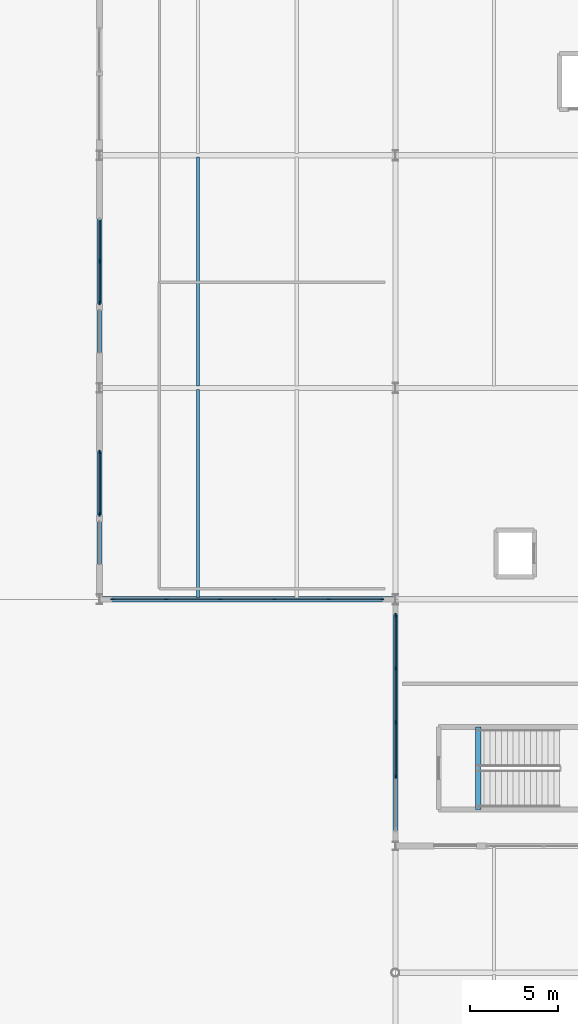
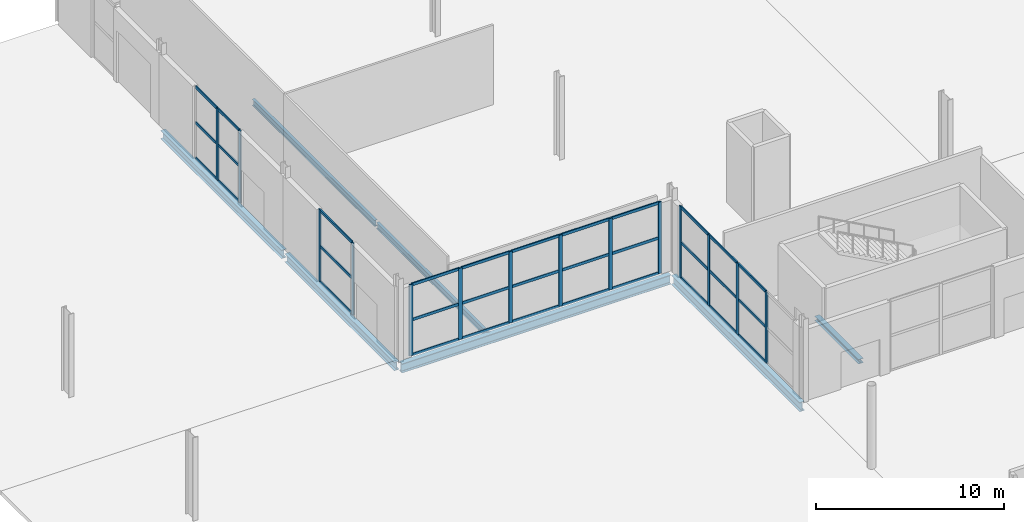
# One storey, part 22 of 87: 47 members, 7 beams, 4 elements without a shape of their own.
"""IFC4 building model written with IfcOpenShell, lengths in metres."""

from ifc_helpers import new_model, si_unit, direction, frame, origin, origin_2d, place, context, subcontext, project, spatial, rectangle, i_section, extrude, material, material_profile, profile_set, type_object, element, aggregate, save


model = new_model("IFC4")

# Units and contexts
model_context = context("Model", 3, precision=1e-05, world=origin(), true_north=direction((0.0, 1.0)))
body_context = subcontext(model_context, "Body", "Model", "MODEL_VIEW")
ifc_project = project(units=[si_unit("LENGTHUNIT", "METRE"), si_unit("AREAUNIT", "SQUARE_METRE"), si_unit("VOLUMEUNIT", "CUBIC_METRE"), si_unit("PLANEANGLEUNIT", "RADIAN"), si_unit("MASSUNIT", "GRAM", prefix="KILO")], contexts=[model_context])

# Site, building, storey
site_placement = place(None, origin())
site = spatial("IfcSite", under=ifc_project, at=site_placement, CompositionType="ELEMENT")
building_placement = place(site_placement, origin())
building = spatial("IfcBuilding", under=site, at=building_placement, Name="Kimbaza Rail Terminus", CompositionType="ELEMENT")
storey_placement = place(building_placement, origin())
storey = spatial("IfcBuildingStorey", under=building, at=storey_placement, Name="L00", CompositionType="ELEMENT", Elevation=0.0)

# Curtain wall, members
ifc_material_1 = material(Name="Anodised aluminium framing and solar low-E glazing", Category="aluminium")
curtain_wall_type = type_object("IfcCurtainWallType", Name="ARC-CW-TH1", PredefinedType="USERDEFINED", material=ifc_material_1)
curtain_wall_1_placement = place(storey_placement, origin())
curtain_wall_1 = element("IfcCurtainWall", 1, at=curtain_wall_1_placement, inside=storey, type_object=curtain_wall_type, Name="Concourse W Return Curtain Wall L00", ObjectType="UNITISED CURTAIN WALL", PredefinedType="USERDEFINED")
ifc_material_2 = material(Name="Anodised architectural aluminium", Category="aluminium")
ifc_material_profile_1 = material_profile(ifc_material_2, rectangle(XDim=0.074951171875, YDim=0.219970703125, at=origin_2d()), Name="MULLION 75x220")
ifc_profile_set_1 = profile_set([ifc_material_profile_1], Name="Anodised architectural aluminium")
member_type_1 = type_object("IfcMemberType", Name="ARC-CWM-01", PredefinedType="MULLION", material=ifc_profile_set_1)
member_1_placement = place(storey_placement, frame((55.199951171875, 44.945068359375, 0.0), z_axis=(0.0, 0.0, 1.0), x_axis=(-1.0, 0.0, 0.0)))
member_1 = element("IfcMember", 2, at=member_1_placement, type_object=member_type_1, Name="CW-01 mullion 2", PredefinedType="MULLION", context=body_context, shape_type="SweptSolid", body=[
    extrude(rectangle(XDim=0.074951171875, YDim=0.219970703125, at=origin_2d()), origin(), (0.0, 0.0, 1.0), 4.625),
])
member_2_placement = place(storey_placement, frame((55.199951171875, 48.010009765625, 0.0), z_axis=(0.0, 0.0, 1.0), x_axis=(-1.0, 0.0, 0.0)))
member_2 = element("IfcMember", 3, at=member_2_placement, type_object=member_type_1, Name="CW-01 mullion 3", PredefinedType="MULLION", context=body_context, shape_type="SweptSolid", body=[
    extrude(rectangle(XDim=0.074951171875, YDim=0.219970703125, at=origin_2d()), origin(), (0.0, 0.0, 1.0), 4.625),
])
member_3_placement = place(storey_placement, frame((55.199951171875, 51.074951171875, 0.0), z_axis=(0.0, 0.0, 1.0), x_axis=(-1.0, 0.0, 0.0)))
member_3 = element("IfcMember", 4, at=member_3_placement, type_object=member_type_1, Name="CW-01 mullion 4", PredefinedType="MULLION", context=body_context, shape_type="SweptSolid", body=[
    extrude(rectangle(XDim=0.074951171875, YDim=0.219970703125, at=origin_2d()), origin(), (0.0, 0.0, 1.0), 4.625),
])
member_4_placement = place(storey_placement, frame((55.199951171875, 54.1025390625, 0.0), z_axis=(0.0, 0.0, 1.0), x_axis=(-1.0, 0.0, 0.0)))
member_4 = element("IfcMember", 5, at=member_4_placement, type_object=member_type_1, Name="CW-01 mullion 5", PredefinedType="MULLION", context=body_context, shape_type="SweptSolid", body=[
    extrude(rectangle(XDim=0.074951171875, YDim=0.219970703125, at=origin_2d()), origin(), (0.0, 0.0, 1.0), 4.625),
])

curtain_wall_2_placement = place(storey_placement, origin())
curtain_wall_2 = element("IfcCurtainWall", 6, at=curtain_wall_2_placement, inside=storey, type_object=curtain_wall_type, Name="Ticket Hall Wing W Curtain Wall L00.1", ObjectType="UNITISED CURTAIN WALL", PredefinedType="USERDEFINED")
member_5_placement = place(storey_placement, frame((39.157470703125, 55.0, 0.0), z_axis=(0.0, 0.0, 1.0), x_axis=(0.0, 1.0, 0.0)))
member_5 = element("IfcMember", 7, at=member_5_placement, type_object=member_type_1, Name="CW-01 mullion 1", PredefinedType="MULLION", context=body_context, shape_type="SweptSolid", body=[
    extrude(rectangle(XDim=0.074951171875, YDim=0.219970703125, at=origin_2d()), origin(), (0.0, 0.0, 1.0), 4.625),
])
member_6_placement = place(storey_placement, frame((42.19189453125, 55.0, 0.0), z_axis=(0.0, 0.0, 1.0), x_axis=(0.0, 1.0, 0.0)))
member_6 = element("IfcMember", 8, at=member_6_placement, type_object=member_type_1, Name="CW-01 mullion 2", PredefinedType="MULLION", context=body_context, shape_type="SweptSolid", body=[
    extrude(rectangle(XDim=0.074951171875, YDim=0.219970703125, at=origin_2d()), origin(), (0.0, 0.0, 1.0), 4.625),
])
member_7_placement = place(storey_placement, frame((45.263916015625, 55.0, 0.0), z_axis=(0.0, 0.0, 1.0), x_axis=(0.0, 1.0, 0.0)))
member_7 = element("IfcMember", 9, at=member_7_placement, type_object=member_type_1, Name="CW-01 mullion 3", PredefinedType="MULLION", context=body_context, shape_type="SweptSolid", body=[
    extrude(rectangle(XDim=0.074951171875, YDim=0.219970703125, at=origin_2d()), origin(), (0.0, 0.0, 1.0), 4.625),
])
member_8_placement = place(storey_placement, frame((48.3359375, 55.0, 0.0), z_axis=(0.0, 0.0, 1.0), x_axis=(0.0, 1.0, 0.0)))
member_8 = element("IfcMember", 10, at=member_8_placement, type_object=member_type_1, Name="CW-01 mullion 4", PredefinedType="MULLION", context=body_context, shape_type="SweptSolid", body=[
    extrude(rectangle(XDim=0.074951171875, YDim=0.219970703125, at=origin_2d()), origin(), (0.0, 0.0, 1.0), 4.625),
])
member_9_placement = place(storey_placement, frame((51.407958984375, 55.0, 0.0), z_axis=(0.0, 0.0, 1.0), x_axis=(0.0, 1.0, 0.0)))
member_9 = element("IfcMember", 11, at=member_9_placement, type_object=member_type_1, Name="CW-01 mullion 5", PredefinedType="MULLION", context=body_context, shape_type="SweptSolid", body=[
    extrude(rectangle(XDim=0.074951171875, YDim=0.219970703125, at=origin_2d()), origin(), (0.0, 0.0, 1.0), 4.625),
])
member_10_placement = place(storey_placement, frame((54.4423828125, 55.0, 0.0), z_axis=(0.0, 0.0, 1.0), x_axis=(0.0, 1.0, 0.0)))
member_10 = element("IfcMember", 12, at=member_10_placement, type_object=member_type_1, Name="CW-01 mullion 6", PredefinedType="MULLION", context=body_context, shape_type="SweptSolid", body=[
    extrude(rectangle(XDim=0.074951171875, YDim=0.219970703125, at=origin_2d()), origin(), (0.0, 0.0, 1.0), 4.625),
])

curtain_wall_3_placement = place(storey_placement, origin())
curtain_wall_3 = element("IfcCurtainWall", 13, at=curtain_wall_3_placement, inside=storey, type_object=curtain_wall_type, Name="Ticket Hall W Glazing L00.1", ObjectType="UNITISED CURTAIN WALL", PredefinedType="USERDEFINED")
member_11_placement = place(storey_placement, frame((38.39990234375, 59.83740234375, 0.0), z_axis=(0.0, 0.0, 1.0), x_axis=(-1.0, 0.0, 0.0)))
member_11 = element("IfcMember", 14, at=member_11_placement, type_object=member_type_1, Name="CW-01 mullion 1", PredefinedType="MULLION", context=body_context, shape_type="SweptSolid", body=[
    extrude(rectangle(XDim=0.074951171875, YDim=0.219970703125, at=origin_2d()), origin(), (0.0, 0.0, 1.0), 4.675048828125),
])
member_12_placement = place(storey_placement, frame((38.39990234375, 63.362548828125, 0.0), z_axis=(0.0, 0.0, 1.0), x_axis=(-1.0, 0.0, 0.0)))
member_12 = element("IfcMember", 15, at=member_12_placement, type_object=member_type_1, Name="CW-01 mullion 2", PredefinedType="MULLION", context=body_context, shape_type="SweptSolid", body=[
    extrude(rectangle(XDim=0.074951171875, YDim=0.219970703125, at=origin_2d()), origin(), (0.0, 0.0, 1.0), 4.675048828125),
])

curtain_wall_4_placement = place(storey_placement, origin())
curtain_wall_4 = element("IfcCurtainWall", 16, at=curtain_wall_4_placement, inside=storey, type_object=curtain_wall_type, Name="Ticket Hall W Glazing L00.2", ObjectType="UNITISED CURTAIN WALL", PredefinedType="USERDEFINED")
member_13_placement = place(storey_placement, frame((38.39990234375, 71.83740234375, 0.0), z_axis=(0.0, 0.0, 1.0), x_axis=(-1.0, 0.0, 0.0)))
member_13 = element("IfcMember", 17, at=member_13_placement, type_object=member_type_1, Name="CW-01 mullion 1", PredefinedType="MULLION", context=body_context, shape_type="SweptSolid", body=[
    extrude(rectangle(XDim=0.074951171875, YDim=0.219970703125, at=origin_2d()), origin(), (0.0, 0.0, 1.0), 4.675048828125),
])
member_14_placement = place(storey_placement, frame((38.39990234375, 74.199951171875, 0.0), z_axis=(0.0, 0.0, 1.0), x_axis=(-1.0, 0.0, 0.0)))
member_14 = element("IfcMember", 18, at=member_14_placement, type_object=member_type_1, Name="CW-01 mullion 2", PredefinedType="MULLION", context=body_context, shape_type="SweptSolid", body=[
    extrude(rectangle(XDim=0.074951171875, YDim=0.219970703125, at=origin_2d()), origin(), (0.0, 0.0, 1.0), 4.675048828125),
])

# Member
ifc_material_3 = material(Name="Anodised architectural aluminium", Category="aluminium")
ifc_material_profile_2 = material_profile(ifc_material_3, rectangle(XDim=0.074951171875, YDim=0.179931640625, at=origin_2d()), Name="TRANSOM 75x180")
ifc_profile_set_2 = profile_set([ifc_material_profile_2], Name="Anodised architectural aluminium")
member_type_2 = type_object("IfcMemberType", Name="ARC-CWT-01", PredefinedType="USERDEFINED", material=ifc_profile_set_2)
member_15_placement = place(storey_placement, frame((55.199951171875, 44.982421875, 0.03759765625), z_axis=(0.0, 1.0, 0.0), x_axis=(-1.0, 0.0, 0.0)))
member_15 = element("IfcMember", 19, at=member_15_placement, type_object=member_type_2, Name="CW-01 transom 2.1", ObjectType="TRANSOM", PredefinedType="USERDEFINED", context=body_context, shape_type="SweptSolid", body=[
    extrude(rectangle(XDim=0.074951171875, YDim=0.179931640625, at=origin_2d()), origin(), (0.0, 0.0, 1.0), 2.989990234375),
])

member_16_placement = place(storey_placement, frame((55.199951171875, 44.982421875, 2.3125), z_axis=(0.0, 1.0, 0.0), x_axis=(-1.0, 0.0, 0.0)))
member_16 = element("IfcMember", 20, at=member_16_placement, type_object=member_type_2, Name="CW-01 transom 2.2", ObjectType="TRANSOM", PredefinedType="USERDEFINED", context=body_context, shape_type="SweptSolid", body=[
    extrude(rectangle(XDim=0.074951171875, YDim=0.179931640625, at=origin_2d()), origin(), (0.0, 0.0, 1.0), 2.989990234375),
])

member_17_placement = place(storey_placement, frame((55.199951171875, 44.982421875, 4.58740234375), z_axis=(0.0, 1.0, 0.0), x_axis=(-1.0, 0.0, 0.0)))
member_17 = element("IfcMember", 21, at=member_17_placement, type_object=member_type_2, Name="CW-01 transom 2.3", ObjectType="TRANSOM", PredefinedType="USERDEFINED", context=body_context, shape_type="SweptSolid", body=[
    extrude(rectangle(XDim=0.074951171875, YDim=0.179931640625, at=origin_2d()), origin(), (0.0, 0.0, 1.0), 2.989990234375),
])

member_18_placement = place(storey_placement, frame((55.199951171875, 48.047607421875, 0.03759765625), z_axis=(0.0, 1.0, 0.0), x_axis=(-1.0, 0.0, 0.0)))
member_18 = element("IfcMember", 22, at=member_18_placement, type_object=member_type_2, Name="CW-01 transom 3.1", ObjectType="TRANSOM", PredefinedType="USERDEFINED", context=body_context, shape_type="SweptSolid", body=[
    extrude(rectangle(XDim=0.074951171875, YDim=0.179931640625, at=origin_2d()), origin(), (0.0, 0.0, 1.0), 2.989990234375),
])

member_19_placement = place(storey_placement, frame((55.199951171875, 48.047607421875, 2.3125), z_axis=(0.0, 1.0, 0.0), x_axis=(-1.0, 0.0, 0.0)))
member_19 = element("IfcMember", 23, at=member_19_placement, type_object=member_type_2, Name="CW-01 transom 3.2", ObjectType="TRANSOM", PredefinedType="USERDEFINED", context=body_context, shape_type="SweptSolid", body=[
    extrude(rectangle(XDim=0.074951171875, YDim=0.179931640625, at=origin_2d()), origin(), (0.0, 0.0, 1.0), 2.989990234375),
])

member_20_placement = place(storey_placement, frame((55.199951171875, 48.047607421875, 4.58740234375), z_axis=(0.0, 1.0, 0.0), x_axis=(-1.0, 0.0, 0.0)))
member_20 = element("IfcMember", 24, at=member_20_placement, type_object=member_type_2, Name="CW-01 transom 3.3", ObjectType="TRANSOM", PredefinedType="USERDEFINED", context=body_context, shape_type="SweptSolid", body=[
    extrude(rectangle(XDim=0.074951171875, YDim=0.179931640625, at=origin_2d()), origin(), (0.0, 0.0, 1.0), 2.989990234375),
])

member_21_placement = place(storey_placement, frame((55.199951171875, 51.112548828125, 0.03759765625), z_axis=(0.0, 1.0, 0.0), x_axis=(-1.0, 0.0, 0.0)))
member_21 = element("IfcMember", 25, at=member_21_placement, type_object=member_type_2, Name="CW-01 transom 4.1", ObjectType="TRANSOM", PredefinedType="USERDEFINED", context=body_context, shape_type="SweptSolid", body=[
    extrude(rectangle(XDim=0.074951171875, YDim=0.179931640625, at=origin_2d()), origin(), (0.0, 0.0, 1.0), 2.952392578125),
])

member_22_placement = place(storey_placement, frame((55.199951171875, 51.112548828125, 2.3125), z_axis=(0.0, 1.0, 0.0), x_axis=(-1.0, 0.0, 0.0)))
member_22 = element("IfcMember", 26, at=member_22_placement, type_object=member_type_2, Name="CW-01 transom 4.2", ObjectType="TRANSOM", PredefinedType="USERDEFINED", context=body_context, shape_type="SweptSolid", body=[
    extrude(rectangle(XDim=0.074951171875, YDim=0.179931640625, at=origin_2d()), origin(), (0.0, 0.0, 1.0), 2.952392578125),
])

member_23_placement = place(storey_placement, frame((55.199951171875, 51.112548828125, 4.58740234375), z_axis=(0.0, 1.0, 0.0), x_axis=(-1.0, 0.0, 0.0)))
member_23 = element("IfcMember", 27, at=member_23_placement, type_object=member_type_2, Name="CW-01 transom 4.3", ObjectType="TRANSOM", PredefinedType="USERDEFINED", context=body_context, shape_type="SweptSolid", body=[
    extrude(rectangle(XDim=0.074951171875, YDim=0.179931640625, at=origin_2d()), origin(), (0.0, 0.0, 1.0), 2.952392578125),
])

aggregate(curtain_wall_1, [member_1, member_2, member_3, member_4, member_15, member_16, member_17, member_18, member_19, member_20, member_21, member_22, member_23])

member_24_placement = place(storey_placement, frame((39.195068359375, 55.0, 0.03759765625), z_axis=(1.0, 0.0, 0.0), x_axis=(0.0, 1.0, 0.0)))
member_24 = element("IfcMember", 28, at=member_24_placement, type_object=member_type_2, Name="CW-01 transom 1.1", ObjectType="TRANSOM", PredefinedType="USERDEFINED", context=body_context, shape_type="SweptSolid", body=[
    extrude(rectangle(XDim=0.074951171875, YDim=0.179931640625, at=origin_2d()), origin(), (0.0, 0.0, 1.0), 2.95947265625),
])

member_25_placement = place(storey_placement, frame((39.195068359375, 55.0, 2.3125), z_axis=(1.0, 0.0, 0.0), x_axis=(0.0, 1.0, 0.0)))
member_25 = element("IfcMember", 29, at=member_25_placement, type_object=member_type_2, Name="CW-01 transom 1.2", ObjectType="TRANSOM", PredefinedType="USERDEFINED", context=body_context, shape_type="SweptSolid", body=[
    extrude(rectangle(XDim=0.074951171875, YDim=0.179931640625, at=origin_2d()), origin(), (0.0, 0.0, 1.0), 2.95947265625),
])

member_26_placement = place(storey_placement, frame((39.195068359375, 55.0, 4.58740234375), z_axis=(1.0, 0.0, 0.0), x_axis=(0.0, 1.0, 0.0)))
member_26 = element("IfcMember", 30, at=member_26_placement, type_object=member_type_2, Name="CW-01 transom 1.3", ObjectType="TRANSOM", PredefinedType="USERDEFINED", context=body_context, shape_type="SweptSolid", body=[
    extrude(rectangle(XDim=0.074951171875, YDim=0.179931640625, at=origin_2d()), origin(), (0.0, 0.0, 1.0), 2.95947265625),
])

member_27_placement = place(storey_placement, frame((42.2294921875, 55.0, 0.03759765625), z_axis=(1.0, 0.0, 0.0), x_axis=(0.0, 1.0, 0.0)))
member_27 = element("IfcMember", 31, at=member_27_placement, type_object=member_type_2, Name="CW-01 transom 2.1", ObjectType="TRANSOM", PredefinedType="USERDEFINED", context=body_context, shape_type="SweptSolid", body=[
    extrude(rectangle(XDim=0.074951171875, YDim=0.179931640625, at=origin_2d()), origin(), (0.0, 0.0, 1.0), 2.9970703125),
])

member_28_placement = place(storey_placement, frame((42.2294921875, 55.0, 2.3125), z_axis=(1.0, 0.0, 0.0), x_axis=(0.0, 1.0, 0.0)))
member_28 = element("IfcMember", 32, at=member_28_placement, type_object=member_type_2, Name="CW-01 transom 2.2", ObjectType="TRANSOM", PredefinedType="USERDEFINED", context=body_context, shape_type="SweptSolid", body=[
    extrude(rectangle(XDim=0.074951171875, YDim=0.179931640625, at=origin_2d()), origin(), (0.0, 0.0, 1.0), 2.9970703125),
])

member_29_placement = place(storey_placement, frame((42.2294921875, 55.0, 4.58740234375), z_axis=(1.0, 0.0, 0.0), x_axis=(0.0, 1.0, 0.0)))
member_29 = element("IfcMember", 33, at=member_29_placement, type_object=member_type_2, Name="CW-01 transom 2.3", ObjectType="TRANSOM", PredefinedType="USERDEFINED", context=body_context, shape_type="SweptSolid", body=[
    extrude(rectangle(XDim=0.074951171875, YDim=0.179931640625, at=origin_2d()), origin(), (0.0, 0.0, 1.0), 2.9970703125),
])

member_30_placement = place(storey_placement, frame((45.301513671875, 55.0, 0.03759765625), z_axis=(1.0, 0.0, 0.0), x_axis=(0.0, 1.0, 0.0)))
member_30 = element("IfcMember", 34, at=member_30_placement, type_object=member_type_2, Name="CW-01 transom 3.1", ObjectType="TRANSOM", PredefinedType="USERDEFINED", context=body_context, shape_type="SweptSolid", body=[
    extrude(rectangle(XDim=0.074951171875, YDim=0.179931640625, at=origin_2d()), origin(), (0.0, 0.0, 1.0), 2.9970703125),
])

member_31_placement = place(storey_placement, frame((45.301513671875, 55.0, 2.3125), z_axis=(1.0, 0.0, 0.0), x_axis=(0.0, 1.0, 0.0)))
member_31 = element("IfcMember", 35, at=member_31_placement, type_object=member_type_2, Name="CW-01 transom 3.2", ObjectType="TRANSOM", PredefinedType="USERDEFINED", context=body_context, shape_type="SweptSolid", body=[
    extrude(rectangle(XDim=0.074951171875, YDim=0.179931640625, at=origin_2d()), origin(), (0.0, 0.0, 1.0), 2.9970703125),
])

member_32_placement = place(storey_placement, frame((45.301513671875, 55.0, 4.58740234375), z_axis=(1.0, 0.0, 0.0), x_axis=(0.0, 1.0, 0.0)))
member_32 = element("IfcMember", 36, at=member_32_placement, type_object=member_type_2, Name="CW-01 transom 3.3", ObjectType="TRANSOM", PredefinedType="USERDEFINED", context=body_context, shape_type="SweptSolid", body=[
    extrude(rectangle(XDim=0.074951171875, YDim=0.179931640625, at=origin_2d()), origin(), (0.0, 0.0, 1.0), 2.9970703125),
])

member_33_placement = place(storey_placement, frame((48.37353515625, 55.0, 0.03759765625), z_axis=(1.0, 0.0, 0.0), x_axis=(0.0, 1.0, 0.0)))
member_33 = element("IfcMember", 37, at=member_33_placement, type_object=member_type_2, Name="CW-01 transom 4.1", ObjectType="TRANSOM", PredefinedType="USERDEFINED", context=body_context, shape_type="SweptSolid", body=[
    extrude(rectangle(XDim=0.074951171875, YDim=0.179931640625, at=origin_2d()), origin(), (0.0, 0.0, 1.0), 2.9970703125),
])

member_34_placement = place(storey_placement, frame((48.37353515625, 55.0, 2.3125), z_axis=(1.0, 0.0, 0.0), x_axis=(0.0, 1.0, 0.0)))
member_34 = element("IfcMember", 38, at=member_34_placement, type_object=member_type_2, Name="CW-01 transom 4.2", ObjectType="TRANSOM", PredefinedType="USERDEFINED", context=body_context, shape_type="SweptSolid", body=[
    extrude(rectangle(XDim=0.074951171875, YDim=0.179931640625, at=origin_2d()), origin(), (0.0, 0.0, 1.0), 2.9970703125),
])

member_35_placement = place(storey_placement, frame((48.37353515625, 55.0, 4.58740234375), z_axis=(1.0, 0.0, 0.0), x_axis=(0.0, 1.0, 0.0)))
member_35 = element("IfcMember", 39, at=member_35_placement, type_object=member_type_2, Name="CW-01 transom 4.3", ObjectType="TRANSOM", PredefinedType="USERDEFINED", context=body_context, shape_type="SweptSolid", body=[
    extrude(rectangle(XDim=0.074951171875, YDim=0.179931640625, at=origin_2d()), origin(), (0.0, 0.0, 1.0), 2.9970703125),
])

member_36_placement = place(storey_placement, frame((51.445556640625, 55.0, 0.03759765625), z_axis=(1.0, 0.0, 0.0), x_axis=(0.0, 1.0, 0.0)))
member_36 = element("IfcMember", 40, at=member_36_placement, type_object=member_type_2, Name="CW-01 transom 5.1", ObjectType="TRANSOM", PredefinedType="USERDEFINED", context=body_context, shape_type="SweptSolid", body=[
    extrude(rectangle(XDim=0.074951171875, YDim=0.179931640625, at=origin_2d()), origin(), (0.0, 0.0, 1.0), 2.95947265625),
])

member_37_placement = place(storey_placement, frame((51.445556640625, 55.0, 2.3125), z_axis=(1.0, 0.0, 0.0), x_axis=(0.0, 1.0, 0.0)))
member_37 = element("IfcMember", 41, at=member_37_placement, type_object=member_type_2, Name="CW-01 transom 5.2", ObjectType="TRANSOM", PredefinedType="USERDEFINED", context=body_context, shape_type="SweptSolid", body=[
    extrude(rectangle(XDim=0.074951171875, YDim=0.179931640625, at=origin_2d()), origin(), (0.0, 0.0, 1.0), 2.95947265625),
])

member_38_placement = place(storey_placement, frame((51.445556640625, 55.0, 4.58740234375), z_axis=(1.0, 0.0, 0.0), x_axis=(0.0, 1.0, 0.0)))
member_38 = element("IfcMember", 42, at=member_38_placement, type_object=member_type_2, Name="CW-01 transom 5.3", ObjectType="TRANSOM", PredefinedType="USERDEFINED", context=body_context, shape_type="SweptSolid", body=[
    extrude(rectangle(XDim=0.074951171875, YDim=0.179931640625, at=origin_2d()), origin(), (0.0, 0.0, 1.0), 2.95947265625),
])

aggregate(curtain_wall_2, [member_5, member_6, member_7, member_8, member_9, member_10, member_24, member_25, member_26, member_27, member_28, member_29, member_30, member_31, member_32, member_33, member_34, member_35, member_36, member_37, member_38])

member_39_placement = place(storey_placement, frame((38.39990234375, 59.875, 0.03759765625), z_axis=(0.0, 1.0, 0.0), x_axis=(-1.0, 0.0, 0.0)))
member_39 = element("IfcMember", 43, at=member_39_placement, type_object=member_type_2, Name="CW-01 transom 1.1", ObjectType="TRANSOM", PredefinedType="USERDEFINED", context=body_context, shape_type="SweptSolid", body=[
    extrude(rectangle(XDim=0.074951171875, YDim=0.179931640625, at=origin_2d()), origin(), (0.0, 0.0, 1.0), 3.449951171875),
])

member_40_placement = place(storey_placement, frame((38.39990234375, 59.875, 2.33740234375), z_axis=(0.0, 1.0, 0.0), x_axis=(-1.0, 0.0, 0.0)))
member_40 = element("IfcMember", 44, at=member_40_placement, type_object=member_type_2, Name="CW-01 transom 1.2", ObjectType="TRANSOM", PredefinedType="USERDEFINED", context=body_context, shape_type="SweptSolid", body=[
    extrude(rectangle(XDim=0.074951171875, YDim=0.179931640625, at=origin_2d()), origin(), (0.0, 0.0, 1.0), 3.449951171875),
])

member_41_placement = place(storey_placement, frame((38.39990234375, 59.875, 4.637451171875), z_axis=(0.0, 1.0, 0.0), x_axis=(-1.0, 0.0, 0.0)))
member_41 = element("IfcMember", 45, at=member_41_placement, type_object=member_type_2, Name="CW-01 transom 1.3", ObjectType="TRANSOM", PredefinedType="USERDEFINED", context=body_context, shape_type="SweptSolid", body=[
    extrude(rectangle(XDim=0.074951171875, YDim=0.179931640625, at=origin_2d()), origin(), (0.0, 0.0, 1.0), 3.449951171875),
])

aggregate(curtain_wall_3, [member_11, member_12, member_39, member_40, member_41])

member_42_placement = place(storey_placement, frame((38.39990234375, 71.875, 0.03759765625), z_axis=(0.0, 1.0, 0.0), x_axis=(-1.0, 0.0, 0.0)))
member_42 = element("IfcMember", 46, at=member_42_placement, type_object=member_type_2, Name="CW-01 transom 1.1", ObjectType="TRANSOM", PredefinedType="USERDEFINED", context=body_context, shape_type="SweptSolid", body=[
    extrude(rectangle(XDim=0.074951171875, YDim=0.179931640625, at=origin_2d()), origin(), (0.0, 0.0, 1.0), 2.28759765625),
])

member_43_placement = place(storey_placement, frame((38.39990234375, 71.875, 2.33740234375), z_axis=(0.0, 1.0, 0.0), x_axis=(-1.0, 0.0, 0.0)))
member_43 = element("IfcMember", 47, at=member_43_placement, type_object=member_type_2, Name="CW-01 transom 1.2", ObjectType="TRANSOM", PredefinedType="USERDEFINED", context=body_context, shape_type="SweptSolid", body=[
    extrude(rectangle(XDim=0.074951171875, YDim=0.179931640625, at=origin_2d()), origin(), (0.0, 0.0, 1.0), 2.28759765625),
])

member_44_placement = place(storey_placement, frame((38.39990234375, 71.875, 4.637451171875), z_axis=(0.0, 1.0, 0.0), x_axis=(-1.0, 0.0, 0.0)))
member_44 = element("IfcMember", 48, at=member_44_placement, type_object=member_type_2, Name="CW-01 transom 1.3", ObjectType="TRANSOM", PredefinedType="USERDEFINED", context=body_context, shape_type="SweptSolid", body=[
    extrude(rectangle(XDim=0.074951171875, YDim=0.179931640625, at=origin_2d()), origin(), (0.0, 0.0, 1.0), 2.28759765625),
])

member_45_placement = place(storey_placement, frame((38.39990234375, 74.237548828125, 0.03759765625), z_axis=(0.0, 1.0, 0.0), x_axis=(-1.0, 0.0, 0.0)))
member_45 = element("IfcMember", 49, at=member_45_placement, type_object=member_type_2, Name="CW-01 transom 2.1", ObjectType="TRANSOM", PredefinedType="USERDEFINED", context=body_context, shape_type="SweptSolid", body=[
    extrude(rectangle(XDim=0.074951171875, YDim=0.179931640625, at=origin_2d()), origin(), (0.0, 0.0, 1.0), 2.287353515625),
])

member_46_placement = place(storey_placement, frame((38.39990234375, 74.237548828125, 2.33740234375), z_axis=(0.0, 1.0, 0.0), x_axis=(-1.0, 0.0, 0.0)))
member_46 = element("IfcMember", 50, at=member_46_placement, type_object=member_type_2, Name="CW-01 transom 2.2", ObjectType="TRANSOM", PredefinedType="USERDEFINED", context=body_context, shape_type="SweptSolid", body=[
    extrude(rectangle(XDim=0.074951171875, YDim=0.179931640625, at=origin_2d()), origin(), (0.0, 0.0, 1.0), 2.287353515625),
])

member_47_placement = place(storey_placement, frame((38.39990234375, 74.237548828125, 4.637451171875), z_axis=(0.0, 1.0, 0.0), x_axis=(-1.0, 0.0, 0.0)))
member_47 = element("IfcMember", 51, at=member_47_placement, type_object=member_type_2, Name="CW-01 transom 2.3", ObjectType="TRANSOM", PredefinedType="USERDEFINED", context=body_context, shape_type="SweptSolid", body=[
    extrude(rectangle(XDim=0.074951171875, YDim=0.179931640625, at=origin_2d()), origin(), (0.0, 0.0, 1.0), 2.287353515625),
])

aggregate(curtain_wall_4, [member_13, member_14, member_42, member_43, member_44, member_45, member_46, member_47])

# Beams
ifc_material_4 = material(Name="Steel S355", Category="steel")
ifc_material_profile_3 = material_profile(ifc_material_4, i_section(OverallWidth=0.300048828125, OverallDepth=0.2900390625, WebThickness=0.008544921875, FlangeThickness=0.013916015625, FilletRadius=0.027099609375, at=origin_2d()), Name="HEA 300")
ifc_profile_set_3 = profile_set([ifc_material_profile_3], Name="Steel S355")
beam_type_1 = type_object("IfcBeamType", Name="STR-BM-HEA300", PredefinedType="SPANDREL", material=ifc_profile_set_3)
beam_1_placement = place(storey_placement, frame((59.89990234375, 43.06005859375, -0.39501953125), z_axis=(0.0, 1.0, 0.0), x_axis=(-1.0, 0.0, 0.0)))
element("IfcBeam", 52, at=beam_1_placement, inside=storey, type_object=beam_type_1, Name="South Metro Concourse West Stair Landing Trimmer Beam L00", PredefinedType="SPANDREL", context=body_context, shape_type="SweptSolid", body=[
    extrude(i_section(OverallWidth=0.300048828125, OverallDepth=0.2900390625, WebThickness=0.008544921875, FlangeThickness=0.013916015625, FilletRadius=0.027099609375, at=origin_2d()), origin(), (0.0, 0.0, 1.0), 4.679931640625),
])
ifc_material_5 = material(Name="Steel S355", Category="steel")
ifc_material_profile_4 = material_profile(ifc_material_5, i_section(OverallWidth=0.300048828125, OverallDepth=0.550048828125, WebThickness=0.014892578125, FlangeThickness=0.029052734375, FilletRadius=0.027099609375, at=origin_2d()), Name="HEB 550")
ifc_profile_set_4 = profile_set([ifc_material_profile_4], Name="Steel S355")
beam_type_2 = type_object("IfcBeamType", Name="STR-BM-HEB550", PredefinedType="BEAM", material=ifc_profile_set_4)
beam_2_placement = place(storey_placement, frame((38.39990234375, 55.175048828125, -0.52490234375), z_axis=(0.0, 1.0, 0.0), x_axis=(-1.0, 0.0, 0.0)))
element("IfcBeam", 53, at=beam_2_placement, inside=storey, type_object=beam_type_2, Name="Beam BM-V2WY-L00-0-55", PredefinedType="BEAM", context=body_context, shape_type="SweptSolid", body=[
    extrude(i_section(OverallWidth=0.300048828125, OverallDepth=0.550048828125, WebThickness=0.014892578125, FlangeThickness=0.029052734375, FilletRadius=0.027099609375, at=origin_2d()), origin(), (0.0, 0.0, 1.0), 11.64990234375),
])
beam_3_placement = place(storey_placement, frame((38.39990234375, 67.175048828125, -0.52490234375), z_axis=(0.0, 1.0, 0.0), x_axis=(-1.0, 0.0, 0.0)))
element("IfcBeam", 54, at=beam_3_placement, inside=storey, type_object=beam_type_2, Name="Beam BM-V2WY-L00-0-67", PredefinedType="BEAM", context=body_context, shape_type="SweptSolid", body=[
    extrude(i_section(OverallWidth=0.300048828125, OverallDepth=0.550048828125, WebThickness=0.014892578125, FlangeThickness=0.029052734375, FilletRadius=0.027099609375, at=origin_2d()), origin(), (0.0, 0.0, 1.0), 12.849853515625),
])
ifc_material_6 = material(Name="Steel S355", Category="steel")
ifc_material_profile_5 = material_profile(ifc_material_6, i_section(OverallWidth=0.300048828125, OverallDepth=0.60009765625, WebThickness=0.015380859375, FlangeThickness=0.030029296875, FilletRadius=0.027099609375, at=origin_2d()), Name="HEB 600")
ifc_profile_set_5 = profile_set([ifc_material_profile_5], Name="Steel S355")
beam_type_3 = type_object("IfcBeamType", Name="STR-BM-HEB600", PredefinedType="BEAM", material=ifc_profile_set_5)
beam_4_placement = place(storey_placement, frame((55.199951171875, 41.175048828125, -0.550048828125), z_axis=(0.0, 1.0, 0.0), x_axis=(-1.0, 0.0, 0.0)))
element("IfcBeam", 55, at=beam_4_placement, inside=storey, type_object=beam_type_3, Name="Beam BM-V2Y-L00-0-41", PredefinedType="BEAM", context=body_context, shape_type="SweptSolid", body=[
    extrude(i_section(OverallWidth=0.300048828125, OverallDepth=0.60009765625, WebThickness=0.015380859375, FlangeThickness=0.030029296875, FilletRadius=0.027099609375, at=origin_2d()), origin(), (0.0, 0.0, 1.0), 13.64990234375),
])
beam_5_placement = place(storey_placement, frame((38.5458984375, 55.0, -0.550048828125), z_axis=(1.0, 0.0, 0.0), x_axis=(0.0, 1.0, 0.0)))
element("IfcBeam", 56, at=beam_5_placement, inside=storey, type_object=beam_type_3, Name="Beam BM-V2X-L00-3-0", PredefinedType="BEAM", context=body_context, shape_type="SweptSolid", body=[
    extrude(i_section(OverallWidth=0.300048828125, OverallDepth=0.60009765625, WebThickness=0.015380859375, FlangeThickness=0.030029296875, FilletRadius=0.027099609375, at=origin_2d()), origin(), (0.0, 0.0, 1.0), 16.508056640625),
])
ifc_material_7 = material(Name="Steel S355", Category="steel")
ifc_material_profile_6 = material_profile(ifc_material_7, i_section(OverallWidth=0.179931640625, OverallDepth=0.39990234375, WebThickness=0.008544921875, FlangeThickness=0.013427734375, FilletRadius=0.02099609375, at=origin_2d()), Name="IPE 400")
ifc_profile_set_6 = profile_set([ifc_material_profile_6], Name="Steel S355")
beam_type_4 = type_object("IfcBeamType", Name="STR-BM-IPE400", PredefinedType="JOIST", material=ifc_profile_set_6)
beam_6_placement = place(storey_placement, frame((44.0, 55.10009765625, -0.449951171875), z_axis=(0.0, 1.0, 0.0), x_axis=(-1.0, 0.0, 0.0)))
element("IfcBeam", 57, at=beam_6_placement, inside=storey, type_object=beam_type_4, Name="Beam JST-V2-L00-0-1-55", PredefinedType="JOIST", context=body_context, shape_type="SweptSolid", body=[
    extrude(i_section(OverallWidth=0.179931640625, OverallDepth=0.39990234375, WebThickness=0.008544921875, FlangeThickness=0.013427734375, FilletRadius=0.02099609375, at=origin_2d()), origin(), (0.0, 0.0, 1.0), 11.7998046875),
])
beam_7_placement = place(storey_placement, frame((44.0, 67.10009765625, -0.449951171875), z_axis=(0.0, 1.0, 0.0), x_axis=(-1.0, 0.0, 0.0)))
element("IfcBeam", 58, at=beam_7_placement, inside=storey, type_object=beam_type_4, Name="Beam JST-V2-L00-0-1-67", PredefinedType="JOIST", context=body_context, shape_type="SweptSolid", body=[
    extrude(i_section(OverallWidth=0.179931640625, OverallDepth=0.39990234375, WebThickness=0.008544921875, FlangeThickness=0.013427734375, FilletRadius=0.02099609375, at=origin_2d()), origin(), (0.0, 0.0, 1.0), 13.0),
])

save(model, "model.ifc")
